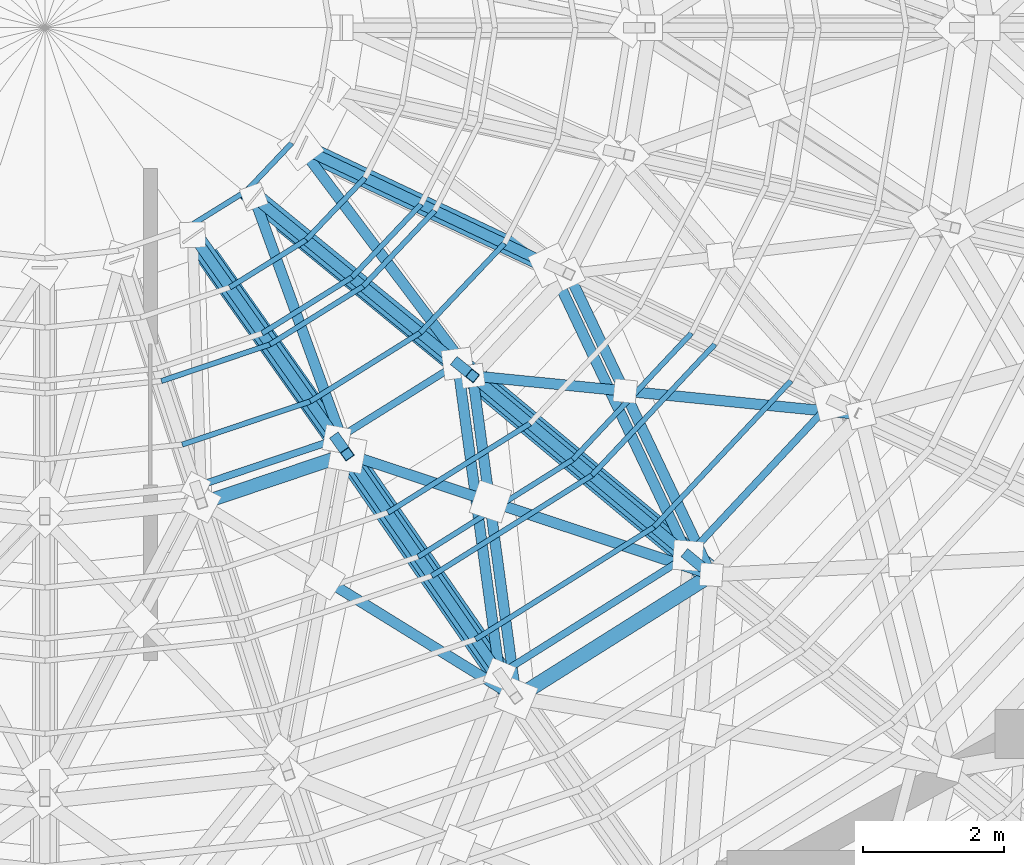
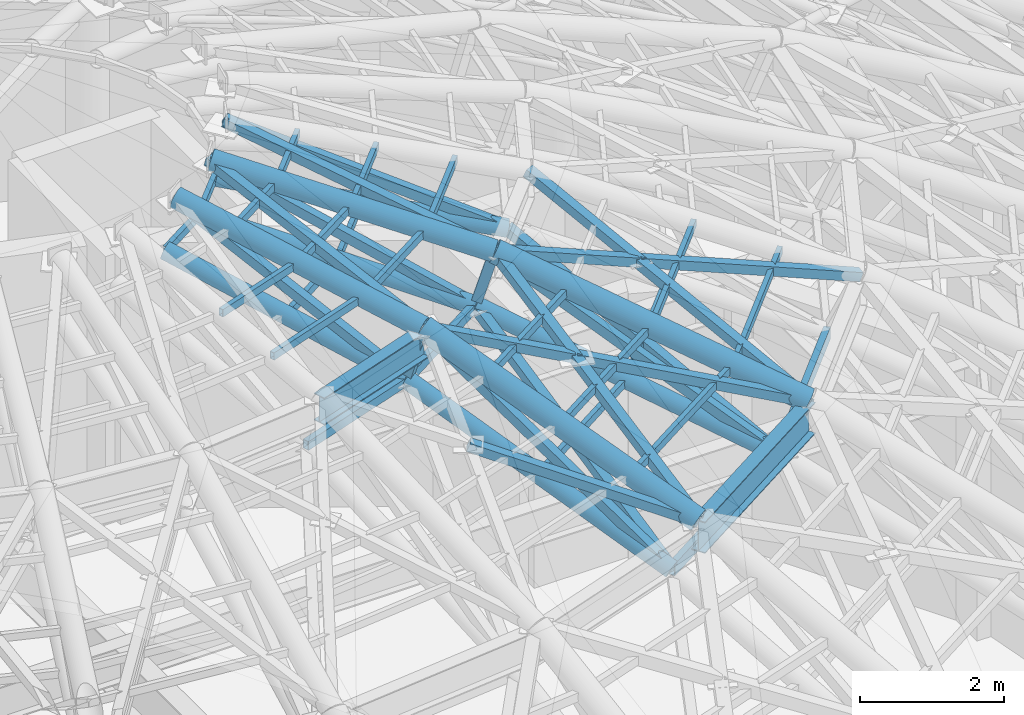
# One storey, part 18 of 50: 51 members, 2 beams.
"""IFC4 building model written with IfcOpenShell, lengths in metres."""

from ifc_helpers import new_model, si_unit, direction, frame, origin, origin_2d, place, context, subcontext, project, spatial, hollow_rectangle, hollow_circle, i_section, extrude, material, material_profile, profile_set, type_object, element, save


model = new_model("IFC4")

# Units and contexts
model_context = context("Model", 3, precision=1e-05, world=origin(), true_north=direction((0.0, 1.0)))
body_context = subcontext(model_context, "Body", "Model", "MODEL_VIEW")
ifc_project = project(units=[si_unit("LENGTHUNIT", "METRE"), si_unit("AREAUNIT", "SQUARE_METRE"), si_unit("VOLUMEUNIT", "CUBIC_METRE"), si_unit("PLANEANGLEUNIT", "RADIAN"), si_unit("MASSUNIT", "GRAM", prefix="KILO")], contexts=[model_context])

# Site, building, storey
site_placement = place(None, origin())
site = spatial("IfcSite", under=ifc_project, at=site_placement, CompositionType="ELEMENT")
building_placement = place(site_placement, origin())
building = spatial("IfcBuilding", under=site, at=building_placement, Name="Cinderbank Siding Concert Hall", CompositionType="ELEMENT")
storey_placement = place(building_placement, frame((0.0, 0.0, 23.699951171875)))
storey = spatial("IfcBuildingStorey", under=building, at=storey_placement, Name="L06", CompositionType="ELEMENT", Elevation=23.699951171875)

# Beams
ifc_material_1 = material(Name="Structural steel AS/NZS 3679.1 Grade 350 (340 MPa)", Category="steel")
ifc_material_profile_1 = material_profile(ifc_material_1, i_section(OverallWidth=0.19091796875, OverallDepth=0.46044921875, WebThickness=0.010009765625, FlangeThickness=0.01611328125, at=origin_2d()), Name="460UB82.1", Category="LoadBearing")
ifc_profile_set_1 = profile_set([ifc_material_profile_1], Name="Structural steel AS/NZS 3679.1 Grade 350 (340 MPa)")
beam_type_1 = type_object("IfcBeamType", Name="BM-UB460H 460UB82.1", PredefinedType="BEAM", material=ifc_profile_set_1)
beam_1_placement = place(storey_placement, frame((124.225830078125, 37.238525390625, 15.769775390625), z_axis=(0.947607117252, 0.319438180769, 0.0), x_axis=(-0.319438180769, 0.947607117252, 0.0)))
element("IfcBeam", 1, at=beam_1_placement, inside=storey, type_object=beam_type_1, Name="L06 Beam BM-UB460H #2106", PredefinedType="BEAM", context=body_context, shape_type="SweptSolid", body=[
    extrude(i_section(OverallWidth=0.19091796875, OverallDepth=0.46044921875, WebThickness=0.010009765625, FlangeThickness=0.01611328125, at=origin_2d()), origin(), (0.0, 0.0, 1.0), 2.18896484375),
])
ifc_material_profile_2 = material_profile(ifc_material_1, i_section(OverallWidth=0.208984375, OverallDepth=0.532958984375, WebThickness=0.01025390625, FlangeThickness=0.015625, at=origin_2d()), Name="530UB92.4", Category="LoadBearing")
ifc_profile_set_2 = profile_set([ifc_material_profile_2], Name="Structural steel AS/NZS 3679.1 Grade 350 (340 MPa)")
beam_type_2 = type_object("IfcBeamType", Name="BM-UB530H 530UB92.4", PredefinedType="BEAM", material=ifc_profile_set_2)
beam_2_placement = place(storey_placement, frame((128.699951171875, 34.4736328125, 13.733642578125), z_axis=(0.846132136799, 0.532973176694, 0.0), x_axis=(-0.532973176694, 0.846132136799, 0.0)))
element("IfcBeam", 2, at=beam_2_placement, inside=storey, type_object=beam_type_2, Name="L06 Beam BM-UB530H #2090", PredefinedType="BEAM", context=body_context, shape_type="SweptSolid", body=[
    extrude(i_section(OverallWidth=0.208984375, OverallDepth=0.532958984375, WebThickness=0.01025390625, FlangeThickness=0.015625, at=origin_2d()), origin(), (0.0, 0.0, 1.0), 3.27978515625),
])

# Members
ifc_material_2 = material(Name="Structural steel hollow section AS/NZS 1163 Grade C350L0 (350 MPa)", Category="steel")
ifc_material_profile_3 = material_profile(ifc_material_2, hollow_rectangle(XDim=0.14990234375, YDim=0.14990234375, WallThickness=0.008056640625, at=origin_2d()), Name="150x150x8.0SHS", Category="LoadBearing")
ifc_profile_set_3 = profile_set([ifc_material_profile_3], Name="Structural steel hollow section AS/NZS 1163 Grade C350L0 (350 MPa)")
member_type_1 = type_object("IfcMemberType", Name="BR-SHS150 150x150x8.0SHS Roof Truss", PredefinedType="BRACE", material=ifc_profile_set_3)
member_1_placement = place(storey_placement, frame((128.699951171875, 34.4736328125, 14.0), z_axis=(-0.79512867802, 0.491374066951, 0.3554179395), x_axis=(-0.525698224541, -0.850671133115, 0.0)))
element("IfcMember", 3, at=member_1_placement, inside=storey, type_object=member_type_1, Name="L06 Diagonal Brace BR-SHS150 #DBRO-BR-SHS150-L06-1630", PredefinedType="BRACE", context=body_context, shape_type="SweptSolid", body=[
    extrude(hollow_rectangle(XDim=0.14990234375, YDim=0.14990234375, WallThickness=0.008056640625, at=origin_2d()), origin(), (0.0, 0.0, 1.0), 3.411865234375),
])
member_2_placement = place(storey_placement, frame((128.465576171875, 34.80712890625, 13.050048828125), z_axis=(-0.44966610058, 0.650064082045, 0.612549661027), x_axis=(-0.822416090957, -0.568886432722, 0.0)))
element("IfcMember", 4, at=member_2_placement, inside=storey, type_object=member_type_1, Name="L06 Diagonal Brace BR-SHS150 #DWBD-BR-SHS150-L06-1634", PredefinedType="BRACE", context=body_context, shape_type="SweptSolid", body=[
    extrude(hollow_rectangle(XDim=0.14990234375, YDim=0.14990234375, WallThickness=0.008056640625, at=origin_2d()), origin(), (0.0, 0.0, 1.0), 4.81591796875),
])
member_3_placement = place(storey_placement, frame((128.699951171875, 34.4736328125, 14.0), z_axis=(-0.122973142336, 0.909370621789, 0.397394864702), x_axis=(-0.990980101498, -0.13400909833, 0.0)))
element("IfcMember", 5, at=member_3_placement, inside=storey, type_object=member_type_1, Name="L06 Diagonal Brace BR-SHS150 #DBRO-BR-SHS150-L06-1641", PredefinedType="BRACE", context=body_context, shape_type="SweptSolid", body=[
    extrude(hollow_rectangle(XDim=0.14990234375, YDim=0.14990234375, WallThickness=0.008056640625, at=origin_2d()), origin(), (0.0, 0.0, 1.0), 5.03271484375),
])
member_4_placement = place(storey_placement, frame((131.47509765625, 36.2216796875, 14.0), z_axis=(-0.891093847418, 0.29550697918, 0.344423257563), x_axis=(-0.314766108589, -0.949169266719, 0.0)))
element("IfcMember", 6, at=member_4_placement, inside=storey, type_object=member_type_1, Name="L06 Diagonal Brace BR-SHS150 #DBRO-BR-SHS150-L06-1642", PredefinedType="BRACE", context=body_context, shape_type="SweptSolid", body=[
    extrude(hollow_rectangle(XDim=0.14990234375, YDim=0.14990234375, WallThickness=0.008056640625, at=origin_2d()), origin(), (0.0, 0.0, 1.0), 3.523681640625),
])
member_5_placement = place(storey_placement, frame((128.30859375, 37.271728515625, 15.223876953125), z_axis=(-0.891130470668, 0.295490935211, 0.344342259177), x_axis=(-0.314739058005, -0.94917823688, 0.0)))
element("IfcMember", 7, at=member_5_placement, inside=storey, type_object=member_type_1, Name="L06 Diagonal Brace BR-SHS150 #DBRO-BR-SHS150-L06-1642-S149", PredefinedType="BRACE", context=body_context, shape_type="SweptSolid", body=[
    extrude(hollow_rectangle(XDim=0.14990234375, YDim=0.14990234375, WallThickness=0.008056640625, at=origin_2d()), origin(), (0.0, 0.0, 1.0), 2.25390625),
])
member_6_placement = place(storey_placement, frame((128.465576171875, 34.80712890625, 13.050048828125), z_axis=(-0.122253598131, 0.904106842433, 0.409444593577), x_axis=(-0.990981226559, -0.134000778383, 0.0)))
element("IfcMember", 8, at=member_6_placement, inside=storey, type_object=member_type_1, Name="L06 Diagonal Brace BR-SHS150 #DBRI-BR-SHS150-L06-1643", PredefinedType="BRACE", context=body_context, shape_type="SweptSolid", body=[
    extrude(hollow_rectangle(XDim=0.14990234375, YDim=0.14990234375, WallThickness=0.008056640625, at=origin_2d()), origin(), (0.0, 0.0, 1.0), 4.884765625),
])
member_7_placement = place(storey_placement, frame((131.1435546875, 36.494140625, 13.050048828125), z_axis=(-0.6172710179, 0.515212656044, 0.594585914324), x_axis=(-0.640786191173, -0.767719387017, 0.0)))
element("IfcMember", 9, at=member_7_placement, inside=storey, type_object=member_type_1, Name="L06 Diagonal Brace BR-SHS150 #DWBD-BR-SHS150-L06-1646", PredefinedType="BRACE", context=body_context, shape_type="SweptSolid", body=[
    extrude(hollow_rectangle(XDim=0.14990234375, YDim=0.14990234375, WallThickness=0.008056640625, at=origin_2d()), origin(), (0.0, 0.0, 1.0), 4.96142578125),
])
member_8_placement = place(storey_placement, frame((131.1435546875, 36.494140625, 13.050048828125), z_axis=(0.318062435065, -0.261382678596, 0.911326167039), x_axis=(0.634909259299, 0.772586715169, 0.0)))
element("IfcMember", 10, at=member_8_placement, inside=storey, type_object=member_type_1, Name="L06 Diagonal Brace BR-SHS150 #DWBV-BR-SHS150-L06-1649", PredefinedType="BRACE", context=body_context, shape_type="SweptSolid", body=[
    extrude(hollow_rectangle(XDim=0.14990234375, YDim=0.14990234375, WallThickness=0.008056640625, at=origin_2d()), origin(), (0.0, 0.0, 1.0), 1.04248046875),
])
member_9_placement = place(storey_placement, frame((131.47509765625, 36.2216796875, 14.0), z_axis=(-0.394465562177, 0.832443944074, 0.389145217408), x_axis=(-0.903674827673, -0.428219343129, 0.0)))
element("IfcMember", 11, at=member_9_placement, inside=storey, type_object=member_type_1, Name="L06 Diagonal Brace BR-SHS150 #DBRO-BR-SHS150-L06-1653", PredefinedType="BRACE", context=body_context, shape_type="SweptSolid", body=[
    extrude(hollow_rectangle(XDim=0.14990234375, YDim=0.14990234375, WallThickness=0.008056640625, at=origin_2d()), origin(), (0.0, 0.0, 1.0), 5.139404296875),
])
member_10_placement = place(storey_placement, frame((133.604736328125, 38.5, 14.0), z_axis=(-0.936162837544, 0.093275613144, 0.338967257408), x_axis=(-0.09914518972, -0.995072977904, 0.0)))
element("IfcMember", 12, at=member_10_placement, inside=storey, type_object=member_type_1, Name="L06 Diagonal Brace BR-SHS150 #DBRO-BR-SHS150-L06-1654", PredefinedType="BRACE", context=body_context, shape_type="SweptSolid", body=[
    extrude(hollow_rectangle(XDim=0.14990234375, YDim=0.14990234375, WallThickness=0.008056640625, at=origin_2d()), origin(), (0.0, 0.0, 1.0), 3.583251953125),
])
member_11_placement = place(storey_placement, frame((130.22216796875, 38.8369140625, 15.224853515625), z_axis=(-0.936176460638, 0.093297403261, 0.338923633127), x_axis=(-0.099166694392, -0.995070835028, 0.0)))
element("IfcMember", 13, at=member_11_placement, inside=storey, type_object=member_type_1, Name="L06 Diagonal Brace BR-SHS150 #DBRO-BR-SHS150-L06-1654-S150", PredefinedType="BRACE", context=body_context, shape_type="SweptSolid", body=[
    extrude(hollow_rectangle(XDim=0.14990234375, YDim=0.14990234375, WallThickness=0.008056640625, at=origin_2d()), origin(), (0.0, 0.0, 1.0), 2.287109375),
])
member_12_placement = place(storey_placement, frame((131.1435546875, 36.494140625, 13.050048828125), z_axis=(-0.392315032588, 0.827807237468, 0.401028792983), x_axis=(-0.903655124424, -0.428260920587, 0.0)))
element("IfcMember", 14, at=member_12_placement, inside=storey, type_object=member_type_1, Name="L06 Diagonal Brace BR-SHS150 #DBRI-BR-SHS150-L06-1655", PredefinedType="BRACE", context=body_context, shape_type="SweptSolid", body=[
    extrude(hollow_rectangle(XDim=0.14990234375, YDim=0.14990234375, WallThickness=0.008056640625, at=origin_2d()), origin(), (0.0, 0.0, 1.0), 4.987060546875),
])
member_13_placement = place(storey_placement, frame((126.1494140625, 38.14990234375, 15.050048828125), z_axis=(-0.499322174283, 0.707938193489, 0.4995006311), x_axis=(-0.817184743141, -0.576375828412, 0.0)))
element("IfcMember", 15, at=member_13_placement, inside=storey, type_object=member_type_1, Name="L06 Diagonal Brace BR-SHS150 #DWBD-BR-SHS150-L06-1882", PredefinedType="BRACE", context=body_context, shape_type="SweptSolid", body=[
    extrude(hollow_rectangle(XDim=0.14990234375, YDim=0.14990234375, WallThickness=0.008056640625, at=origin_2d()), origin(), (0.0, 0.0, 1.0), 4.104248046875),
])
member_14_placement = place(storey_placement, frame((126.1494140625, 38.14990234375, 15.050048828125), z_axis=(0.152937825972, -0.215401897519, 0.964475009491), x_axis=(0.815378555439, 0.578928157314, 0.0)))
element("IfcMember", 16, at=member_14_placement, inside=storey, type_object=member_type_1, Name="L06 Diagonal Brace BR-SHS150 #DWBV-BR-SHS150-L06-1885", PredefinedType="BRACE", context=body_context, shape_type="SweptSolid", body=[
    extrude(hollow_rectangle(XDim=0.14990234375, YDim=0.14990234375, WallThickness=0.008056640625, at=origin_2d()), origin(), (0.0, 0.0, 1.0), 0.98486328125),
])
member_15_placement = place(storey_placement, frame((126.300048828125, 37.937744140625, 16.0), z_axis=(-0.328894618343, 0.904354572698, 0.271976353506), x_axis=(-0.939780603502, -0.34177831599, 0.0)))
element("IfcMember", 17, at=member_15_placement, inside=storey, type_object=member_type_1, Name="L06 Diagonal Brace BR-SHS150 #DBRO-BR-SHS150-L06-1889", PredefinedType="BRACE", context=body_context, shape_type="SweptSolid", body=[
    extrude(hollow_rectangle(XDim=0.14990234375, YDim=0.14990234375, WallThickness=0.008056640625, at=origin_2d()), origin(), (0.0, 0.0, 1.0), 4.044921875),
])
member_16_placement = place(storey_placement, frame((127.868408203125, 39.223388671875, 15.050048828125), z_axis=(-0.67884757642, 0.555576678184, 0.480104699672), x_axis=(-0.633344264796, -0.773870171444, 0.0)))
element("IfcMember", 18, at=member_16_placement, inside=storey, type_object=member_type_1, Name="L06 Diagonal Brace BR-SHS150 #DWBD-BR-SHS150-L06-1892", PredefinedType="BRACE", context=body_context, shape_type="SweptSolid", body=[
    extrude(hollow_rectangle(XDim=0.14990234375, YDim=0.14990234375, WallThickness=0.008056640625, at=origin_2d()), origin(), (0.0, 0.0, 1.0), 4.27001953125),
])
member_17_placement = place(storey_placement, frame((127.868408203125, 39.223388671875, 15.050048828125), z_axis=(0.215070231721, -0.175068650161, 0.96077872747), x_axis=(0.631296308496, 0.775541727362, 0.0)))
element("IfcMember", 19, at=member_17_placement, inside=storey, type_object=member_type_1, Name="L06 Diagonal Brace BR-SHS150 #DWBV-BR-SHS150-L06-1895", PredefinedType="BRACE", context=body_context, shape_type="SweptSolid", body=[
    extrude(hollow_rectangle(XDim=0.14990234375, YDim=0.14990234375, WallThickness=0.008056640625, at=origin_2d()), origin(), (0.0, 0.0, 1.0), 0.98876953125),
])
member_18_placement = place(storey_placement, frame((128.0810546875, 39.05029296875, 16.0), z_axis=(-0.58016863601, 0.771490980412, 0.261162824561), x_axis=(-0.799228391319, -0.601027435738, 0.0)))
element("IfcMember", 20, at=member_18_placement, inside=storey, type_object=member_type_1, Name="L06 Diagonal Brace BR-SHS150 #DBRO-BR-SHS150-L06-1899", PredefinedType="BRACE", context=body_context, shape_type="SweptSolid", body=[
    extrude(hollow_rectangle(XDim=0.14990234375, YDim=0.14990234375, WallThickness=0.008056640625, at=origin_2d()), origin(), (0.0, 0.0, 1.0), 4.21240234375),
])
member_19_placement = place(storey_placement, frame((129.18701171875, 40.62255859375, 15.050048828125), z_axis=(-0.801455569163, 0.378734609059, 0.462848859303), x_axis=(-0.427254861709, -0.904131231153, 0.0)))
element("IfcMember", 21, at=member_19_placement, inside=storey, type_object=member_type_1, Name="L06 Diagonal Brace BR-SHS150 #DWBD-BR-SHS150-L06-1902", PredefinedType="BRACE", context=body_context, shape_type="SweptSolid", body=[
    extrude(hollow_rectangle(XDim=0.14990234375, YDim=0.14990234375, WallThickness=0.008056640625, at=origin_2d()), origin(), (0.0, 0.0, 1.0), 4.42919921875),
])
ifc_material_profile_4 = material_profile(ifc_material_2, hollow_circle(Radius=0.136474609375, WallThickness=0.00927734375, at=origin_2d()), Name="273.1x9.3CHS", Category="LoadBearing")
ifc_profile_set_4 = profile_set([ifc_material_profile_4], Name="Structural steel hollow section AS/NZS 1163 Grade C350L0 (350 MPa)")
member_type_2 = type_object("IfcMemberType", Name="DR-CHS273 273.1x9.3CHS Roof Truss", PredefinedType="RAFTER", material=ifc_profile_set_4)
member_20_placement = place(storey_placement, frame((128.465576171875, 34.80712890625, 13.050048828125), z_axis=(-0.511071945426, 0.737598511307, 0.441309305041), x_axis=(-0.821969527033, -0.569531471149, 0.0)))
element("IfcMember", 22, at=member_20_placement, inside=storey, type_object=member_type_2, Name="L06 Roof Truss Member DR-CHS273 #1633", PredefinedType="RAFTER", context=body_context, shape_type="SweptSolid", body=[
    extrude(hollow_circle(Radius=0.136474609375, WallThickness=0.00927734375, at=origin_2d()), origin(), (0.0, 0.0, 1.0), 4.531982421875),
])
member_21_placement = place(storey_placement, frame((131.1435546875, 36.494140625, 13.050048828125), z_axis=(-0.695496901664, 0.5795721106, 0.424711935776), x_axis=(-0.640178766907, -0.768225973527, 0.0)))
element("IfcMember", 23, at=member_21_placement, inside=storey, type_object=member_type_2, Name="L06 Roof Truss Member DR-CHS273 #1645", PredefinedType="RAFTER", context=body_context, shape_type="SweptSolid", body=[
    extrude(hollow_circle(Radius=0.136474609375, WallThickness=0.00927734375, at=origin_2d()), origin(), (0.0, 0.0, 1.0), 4.708984375),
])
member_22_placement = place(storey_placement, frame((126.1494140625, 38.14990234375, 15.050048828125), z_axis=(-0.552369154655, 0.782909426334, 0.286253641274), x_axis=(-0.817101975754, -0.576493157999, 0.0)))
element("IfcMember", 24, at=member_22_placement, inside=storey, type_object=member_type_2, Name="L06 Roof Truss Member DR-CHS273 #1881", PredefinedType="RAFTER", context=body_context, shape_type="SweptSolid", body=[
    extrude(hollow_circle(Radius=0.136474609375, WallThickness=0.00927734375, at=origin_2d()), origin(), (0.0, 0.0, 1.0), 3.843017578125),
])
member_23_placement = place(storey_placement, frame((127.868408203125, 39.223388671875, 15.050048828125), z_axis=(-0.744597053616, 0.60921577114, 0.272821135436), x_axis=(-0.633237790257, -0.773957299203, 0.0)))
element("IfcMember", 25, at=member_23_placement, inside=storey, type_object=member_type_2, Name="L06 Roof Truss Member DR-CHS273 #1891", PredefinedType="RAFTER", context=body_context, shape_type="SweptSolid", body=[
    extrude(hollow_circle(Radius=0.136474609375, WallThickness=0.00927734375, at=origin_2d()), origin(), (0.0, 0.0, 1.0), 4.0322265625),
])
member_24_placement = place(storey_placement, frame((129.18701171875, 40.62255859375, 15.050048828125), z_axis=(-0.872810404073, 0.412326274815, 0.261130315434), x_axis=(-0.427146747319, -0.904182313615, 0.0)))
element("IfcMember", 26, at=member_24_placement, inside=storey, type_object=member_type_2, Name="L06 Roof Truss Member DR-CHS273 #1901", PredefinedType="RAFTER", context=body_context, shape_type="SweptSolid", body=[
    extrude(hollow_circle(Radius=0.136474609375, WallThickness=0.00927734375, at=origin_2d()), origin(), (0.0, 0.0, 1.0), 4.212890625),
])
ifc_material_profile_5 = material_profile(ifc_material_2, hollow_circle(Radius=0.161865234375, WallThickness=0.0126953125, at=origin_2d()), Name="323.9x12.7CHS", Category="LoadBearing")
ifc_profile_set_5 = profile_set([ifc_material_profile_5], Name="Structural steel hollow section AS/NZS 1163 Grade C350L0 (350 MPa)")
member_type_3 = type_object("IfcMemberType", Name="DR-CHS323 323.9x12.7CHS Roof Truss", PredefinedType="RAFTER", material=ifc_profile_set_5)
member_25_placement = place(storey_placement, frame((126.300048828125, 37.937744140625, 16.0), z_axis=(-0.553994203108, 0.785098843827, 0.276966114072), x_axis=(-0.817062588556, -0.576548980037, 0.0)))
element("IfcMember", 27, at=member_25_placement, inside=storey, type_object=member_type_3, Name="L06 Roof Truss Member DR-CHS323 #1880", PredefinedType="RAFTER", context=body_context, shape_type="SweptSolid", body=[
    extrude(hollow_circle(Radius=0.161865234375, WallThickness=0.0126953125, at=origin_2d()), origin(), (0.0, 0.0, 1.0), 3.939453125),
])
member_26_placement = place(storey_placement, frame((128.0810546875, 39.05029296875, 16.0), z_axis=(-0.746506757945, 0.61079435588, 0.26392785978), x_axis=(-0.633247788404, -0.773949118794, 0.0)))
element("IfcMember", 28, at=member_26_placement, inside=storey, type_object=member_type_3, Name="L06 Roof Truss Member DR-CHS323 #1890", PredefinedType="RAFTER", context=body_context, shape_type="SweptSolid", body=[
    extrude(hollow_circle(Radius=0.161865234375, WallThickness=0.0126953125, at=origin_2d()), origin(), (0.0, 0.0, 1.0), 4.1357421875),
])
ifc_material_profile_6 = material_profile(ifc_material_2, hollow_circle(Radius=0.177734375, WallThickness=0.0126953125, at=origin_2d()), Name="355.6x12.7CHS", Category="LoadBearing")
ifc_profile_set_6 = profile_set([ifc_material_profile_6], Name="Structural steel hollow section AS/NZS 1163 Grade C350L0 (350 MPa)")
member_type_4 = type_object("IfcMemberType", Name="DR-CHS355 355.6x12.7CHS Roof Truss", PredefinedType="RAFTER", material=ifc_profile_set_6)
member_27_placement = place(storey_placement, frame((128.699951171875, 34.4736328125, 14.0), z_axis=(-0.51447956634, 0.742619589705, 0.428750417849), x_axis=(-0.822006531682, -0.569478060923, 0.0)))
element("IfcMember", 29, at=member_27_placement, inside=storey, type_object=member_type_4, Name="L06 Roof Truss Member DR-CHS355 #1632", PredefinedType="RAFTER", context=body_context, shape_type="SweptSolid", body=[
    extrude(hollow_circle(Radius=0.177734375, WallThickness=0.0126953125, at=origin_2d()), origin(), (0.0, 0.0, 1.0), 4.664794921875),
])
member_28_placement = place(storey_placement, frame((131.47509765625, 36.2216796875, 14.0), z_axis=(-0.699831224622, 0.583243027512, 0.412387957999), x_axis=(-0.640217010255, -0.768194102932, 0.0)))
element("IfcMember", 30, at=member_28_placement, inside=storey, type_object=member_type_4, Name="L06 Roof Truss Member DR-CHS355 #1644", PredefinedType="RAFTER", context=body_context, shape_type="SweptSolid", body=[
    extrude(hollow_circle(Radius=0.177734375, WallThickness=0.0126953125, at=origin_2d()), origin(), (0.0, 0.0, 1.0), 4.849853515625),
])
ifc_material_profile_7 = material_profile(ifc_material_2, hollow_rectangle(XDim=0.074951171875, YDim=0.125, WallThickness=0.0048828125, at=origin_2d()), Name="125x75x5.0RHS", Category="LoadBearing")
ifc_profile_set_7 = profile_set([ifc_material_profile_7], Name="Structural steel hollow section AS/NZS 1163 Grade C350L0 (350 MPa)")
member_type_5 = type_object("IfcMemberType", Name="PR-RHS125 125x75x5.0RHS Roof Truss", PredefinedType="PURLIN", material=ifc_profile_set_7)
member_29_placement = place(storey_placement, frame((127.3076171875, 36.478515625, 14.050048828125), z_axis=(0.846876197645, 0.531790095678, 0.0), x_axis=(-0.531790095678, 0.846876197645, 0.0)))
element("IfcMember", 31, at=member_29_placement, inside=storey, type_object=member_type_5, Name="L06 Roof Truss Member PR-RHS125 #1636", PredefinedType="PURLIN", context=body_context, shape_type="SweptSolid", body=[
    extrude(hollow_rectangle(XDim=0.074951171875, YDim=0.125, WallThickness=0.0048828125, at=origin_2d()), origin(), (0.0, 0.0, 1.0), 2.595703125),
])
member_30_placement = place(storey_placement, frame((128.1240234375, 35.30517578125, 14.47998046875), z_axis=(0.846484441665, 0.532413457775, 0.0), x_axis=(-0.532413457775, 0.846484441665, 0.0)))
element("IfcMember", 32, at=member_30_placement, inside=storey, type_object=member_type_5, Name="L06 Roof Truss Member PR-RHS125 #1638", PredefinedType="PURLIN", context=body_context, shape_type="SweptSolid", body=[
    extrude(hollow_rectangle(XDim=0.074951171875, YDim=0.125, WallThickness=0.0048828125, at=origin_2d()), origin(), (0.0, 0.0, 1.0), 2.99658203125),
])
member_31_placement = place(storey_placement, frame((127.5, 36.205810546875, 15.0), z_axis=(0.846930862416, 0.531703032047, 0.0), x_axis=(-0.531703032047, 0.846930862416, 0.0)))
element("IfcMember", 33, at=member_31_placement, inside=storey, type_object=member_type_5, Name="L06 Roof Truss Member PR-RHS125 #1639", PredefinedType="PURLIN", context=body_context, shape_type="SweptSolid", body=[
    extrude(hollow_rectangle(XDim=0.074951171875, YDim=0.125, WallThickness=0.0048828125, at=origin_2d()), origin(), (0.0, 0.0, 1.0), 2.689697265625),
])
member_32_placement = place(storey_placement, frame((126.8759765625, 37.1064453125, 15.52001953125), z_axis=(0.847474187281, 0.530836605644, 0.0), x_axis=(-0.530836605644, 0.847474187281, 0.0)))
element("IfcMember", 34, at=member_32_placement, inside=storey, type_object=member_type_5, Name="L06 Roof Truss Member PR-RHS125 #1640", PredefinedType="PURLIN", context=body_context, shape_type="SweptSolid", body=[
    extrude(hollow_rectangle(XDim=0.074951171875, YDim=0.125, WallThickness=0.0048828125, at=origin_2d()), origin(), (0.0, 0.0, 1.0), 2.38330078125),
])
member_33_placement = place(storey_placement, frame((129.505859375, 37.85888671875, 14.050048828125), z_axis=(0.684122238998, 0.729367371157, 0.0), x_axis=(-0.729367371157, 0.684122238998, 0.0)))
element("IfcMember", 35, at=member_33_placement, inside=storey, type_object=member_type_5, Name="L06 Roof Truss Member PR-RHS125 #1648", PredefinedType="PURLIN", context=body_context, shape_type="SweptSolid", body=[
    extrude(hollow_rectangle(XDim=0.074951171875, YDim=0.125, WallThickness=0.0048828125, at=origin_2d()), origin(), (0.0, 0.0, 1.0), 2.466064453125),
])
member_34_placement = place(storey_placement, frame((130.66064453125, 36.900634765625, 14.47998046875), z_axis=(0.68336207894, 0.730079632004, 0.0), x_axis=(-0.730079632004, 0.68336207894, 0.0)))
element("IfcMember", 36, at=member_34_placement, inside=storey, type_object=member_type_5, Name="L06 Roof Truss Member PR-RHS125 #1650", PredefinedType="PURLIN", context=body_context, shape_type="SweptSolid", body=[
    extrude(hollow_rectangle(XDim=0.074951171875, YDim=0.125, WallThickness=0.0048828125, at=origin_2d()), origin(), (0.0, 0.0, 1.0), 2.84814453125),
])
member_35_placement = place(storey_placement, frame((129.778076171875, 37.635986328125, 15.0), z_axis=(0.684103178417, 0.729385248878, 0.0), x_axis=(-0.729385248878, 0.684103178417, 0.0)))
element("IfcMember", 37, at=member_35_placement, inside=storey, type_object=member_type_5, Name="L06 Roof Truss Member PR-RHS125 #1651", PredefinedType="PURLIN", context=body_context, shape_type="SweptSolid", body=[
    extrude(hollow_rectangle(XDim=0.074951171875, YDim=0.125, WallThickness=0.0048828125, at=origin_2d()), origin(), (0.0, 0.0, 1.0), 2.5556640625),
])
member_36_placement = place(storey_placement, frame((123.952392578125, 38.072998046875, 16.26416015625), z_axis=(0.947661176794, 0.319277769345, 0.0), x_axis=(-0.319277769345, 0.947661176794, 0.0)))
element("IfcMember", 38, at=member_36_placement, inside=storey, type_object=member_type_5, Name="L06 Roof Truss Member PR-RHS125 #1876", PredefinedType="PURLIN", context=body_context, shape_type="SweptSolid", body=[
    extrude(hollow_rectangle(XDim=0.074951171875, YDim=0.125, WallThickness=0.0048828125, at=origin_2d()), origin(), (0.0, 0.0, 1.0), 1.920166015625),
])
member_37_placement = place(storey_placement, frame((123.656494140625, 38.977294921875, 16.550048828125), z_axis=(0.947795058073, 0.318880115236, 0.0), x_axis=(-0.318880115236, 0.947795058073, 0.0)))
element("IfcMember", 39, at=member_37_placement, inside=storey, type_object=member_type_5, Name="L06 Roof Truss Member PR-RHS125 #1877", PredefinedType="PURLIN", context=body_context, shape_type="SweptSolid", body=[
    extrude(hollow_rectangle(XDim=0.074951171875, YDim=0.125, WallThickness=0.0048828125, at=origin_2d()), origin(), (0.0, 0.0, 1.0), 1.62841796875),
])
member_38_placement = place(storey_placement, frame((124.026611328125, 41.15869140625, 16.150146484375), z_axis=(0.849521792441, 0.527553527301, 0.0), x_axis=(-0.527553527301, 0.849521792441, 0.0)))
element("IfcMember", 40, at=member_38_placement, inside=storey, type_object=member_type_5, Name="L06 Roof Truss Member PR-RHS125 #1883", PredefinedType="PURLIN", context=body_context, shape_type="SweptSolid", body=[
    extrude(hollow_rectangle(XDim=0.074951171875, YDim=0.125, WallThickness=0.0048828125, at=origin_2d()), origin(), (0.0, 0.0, 1.0), 0.988037109375),
])
member_39_placement = place(storey_placement, frame((125.087890625, 39.654296875, 15.60009765625), z_axis=(0.848580058355, 0.529066994398, 0.0), x_axis=(-0.529066994398, 0.848580058355, 0.0)))
element("IfcMember", 41, at=member_39_placement, inside=storey, type_object=member_type_5, Name="L06 Roof Truss Member PR-RHS125 #1884", PredefinedType="PURLIN", context=body_context, shape_type="SweptSolid", body=[
    extrude(hollow_rectangle(XDim=0.074951171875, YDim=0.125, WallThickness=0.0048828125, at=origin_2d()), origin(), (0.0, 0.0, 1.0), 1.507568359375),
])
member_40_placement = place(storey_placement, frame((125.77197265625, 38.68603515625, 16.26416015625), z_axis=(0.848355564327, 0.529426894363, 0.0), x_axis=(-0.529426894363, 0.848355564327, 0.0)))
element("IfcMember", 42, at=member_40_placement, inside=storey, type_object=member_type_5, Name="L06 Roof Truss Member PR-RHS125 #1886", PredefinedType="PURLIN", context=body_context, shape_type="SweptSolid", body=[
    extrude(hollow_rectangle(XDim=0.074951171875, YDim=0.125, WallThickness=0.0048828125, at=origin_2d()), origin(), (0.0, 0.0, 1.0), 1.841796875),
])
member_41_placement = place(storey_placement, frame((125.199951171875, 39.49658203125, 16.550048828125), z_axis=(0.848568581374, 0.529085402091, 0.0), x_axis=(-0.529085402091, 0.848568581374, 0.0)))
element("IfcMember", 43, at=member_41_placement, inside=storey, type_object=member_type_5, Name="L06 Roof Truss Member PR-RHS125 #1887", PredefinedType="PURLIN", context=body_context, shape_type="SweptSolid", body=[
    extrude(hollow_rectangle(XDim=0.074951171875, YDim=0.125, WallThickness=0.0048828125, at=origin_2d()), origin(), (0.0, 0.0, 1.0), 1.56201171875),
])
member_42_placement = place(storey_placement, frame((124.6279296875, 40.307373046875, 16.8359375), z_axis=(0.849012948189, 0.528372041091, 0.0), x_axis=(-0.528372041091, 0.849012948189, 0.0)))
element("IfcMember", 44, at=member_42_placement, inside=storey, type_object=member_type_5, Name="L06 Roof Truss Member PR-RHS125 #1888", PredefinedType="PURLIN", context=body_context, shape_type="SweptSolid", body=[
    extrude(hollow_rectangle(XDim=0.074951171875, YDim=0.125, WallThickness=0.0048828125, at=origin_2d()), origin(), (0.0, 0.0, 1.0), 1.2822265625),
])
member_43_placement = place(storey_placement, frame((124.865966796875, 41.679931640625, 16.150146484375), z_axis=(0.687816964948, 0.725884166193, 0.0), x_axis=(-0.725884166193, 0.687816964948, 0.0)))
element("IfcMember", 45, at=member_43_placement, inside=storey, type_object=member_type_5, Name="L06 Roof Truss Member PR-RHS125 #1893", PredefinedType="PURLIN", context=body_context, shape_type="SweptSolid", body=[
    extrude(hollow_rectangle(XDim=0.074951171875, YDim=0.125, WallThickness=0.0048828125, at=origin_2d()), origin(), (0.0, 0.0, 1.0), 0.936279296875),
])
member_44_placement = place(storey_placement, frame((126.3671875, 40.451904296875, 15.60009765625), z_axis=(0.686573368621, 0.727060526711, 0.0), x_axis=(-0.727060526711, 0.686573368621, 0.0)))
element("IfcMember", 46, at=member_44_placement, inside=storey, type_object=member_type_5, Name="L06 Roof Truss Member PR-RHS125 #1894", PredefinedType="PURLIN", context=body_context, shape_type="SweptSolid", body=[
    extrude(hollow_rectangle(XDim=0.074951171875, YDim=0.125, WallThickness=0.0048828125, at=origin_2d()), origin(), (0.0, 0.0, 1.0), 1.42919921875),
])
member_45_placement = place(storey_placement, frame((127.33447265625, 39.6611328125, 16.26416015625), z_axis=(0.686192522958, 0.727419975967, 0.0), x_axis=(-0.727419975967, 0.686192522958, 0.0)))
element("IfcMember", 47, at=member_45_placement, inside=storey, type_object=member_type_5, Name="L06 Roof Truss Member PR-RHS125 #1896", PredefinedType="PURLIN", context=body_context, shape_type="SweptSolid", body=[
    extrude(hollow_rectangle(XDim=0.074951171875, YDim=0.125, WallThickness=0.0048828125, at=origin_2d()), origin(), (0.0, 0.0, 1.0), 1.746826171875),
])
member_46_placement = place(storey_placement, frame((126.525390625, 40.322998046875, 16.550048828125), z_axis=(0.686628372605, 0.727008581747, 0.0), x_axis=(-0.727008581747, 0.686628372605, 0.0)))
element("IfcMember", 48, at=member_46_placement, inside=storey, type_object=member_type_5, Name="L06 Roof Truss Member PR-RHS125 #1897", PredefinedType="PURLIN", context=body_context, shape_type="SweptSolid", body=[
    extrude(hollow_rectangle(XDim=0.074951171875, YDim=0.125, WallThickness=0.0048828125, at=origin_2d()), origin(), (0.0, 0.0, 1.0), 1.481201171875),
])
member_47_placement = place(storey_placement, frame((125.716552734375, 40.98486328125, 16.8359375), z_axis=(0.687148281608, 0.726517198064, 0.0), x_axis=(-0.726517198064, 0.687148281608, 0.0)))
element("IfcMember", 49, at=member_47_placement, inside=storey, type_object=member_type_5, Name="L06 Roof Truss Member PR-RHS125 #1898", PredefinedType="PURLIN", context=body_context, shape_type="SweptSolid", body=[
    extrude(hollow_rectangle(XDim=0.074951171875, YDim=0.125, WallThickness=0.0048828125, at=origin_2d()), origin(), (0.0, 0.0, 1.0), 1.215576171875),
])
ifc_material_profile_8 = material_profile(ifc_material_2, hollow_rectangle(XDim=0.10009765625, YDim=0.14990234375, WallThickness=0.006103515625, at=origin_2d()), Name="150x100x6.0RHS", Category="LoadBearing")
ifc_profile_set_8 = profile_set([ifc_material_profile_8], Name="Structural steel hollow section AS/NZS 1163 Grade C350L0 (350 MPa)")
member_type_6 = type_object("IfcMemberType", Name="PR-RHS150 150x100x6.0RHS Roof Truss", PredefinedType="PURLIN", material=ifc_profile_set_8)
member_48_placement = place(storey_placement, frame((124.14794921875, 37.47509765625, 15.050048828125), z_axis=(0.94759117017, 0.319485483575, 0.0), x_axis=(-0.319485483575, 0.94759117017, 0.0)))
element("IfcMember", 50, at=member_48_placement, inside=storey, type_object=member_type_6, Name="L06 Roof Truss Member PR-RHS150 #1623", PredefinedType="PURLIN", context=body_context, shape_type="SweptSolid", body=[
    extrude(hollow_rectangle(XDim=0.10009765625, YDim=0.14990234375, WallThickness=0.006103515625, at=origin_2d()), origin(), (0.0, 0.0, 1.0), 2.112060546875),
])
member_49_placement = place(storey_placement, frame((126.1494140625, 38.14990234375, 15.050048828125), z_axis=(0.848194509168, 0.529684882376, 0.0), x_axis=(-0.529684882376, 0.848194509168, 0.0)))
element("IfcMember", 51, at=member_49_placement, inside=storey, type_object=member_type_6, Name="L06 Roof Truss Member PR-RHS150 #1635", PredefinedType="PURLIN", context=body_context, shape_type="SweptSolid", body=[
    extrude(hollow_rectangle(XDim=0.10009765625, YDim=0.14990234375, WallThickness=0.006103515625, at=origin_2d()), origin(), (0.0, 0.0, 1.0), 2.026611328125),
])
ifc_material_profile_9 = material_profile(ifc_material_2, hollow_rectangle(XDim=0.10009765625, YDim=0.199951171875, WallThickness=0.008056640625, at=origin_2d()), Name="200x100x8.0RHS", Category="LoadBearing")
ifc_profile_set_9 = profile_set([ifc_material_profile_9], Name="Structural steel hollow section AS/NZS 1163 Grade C350L0 (350 MPa)")
member_type_7 = type_object("IfcMemberType", Name="PR-RHS200 200x100x8.0RHS Roof Truss", PredefinedType="PURLIN", material=ifc_profile_set_9)
member_50_placement = place(storey_placement, frame((128.465576171875, 34.80712890625, 13.050048828125), z_axis=(0.846107868169, 0.533011702894, 0.0), x_axis=(-0.533011702894, 0.846107868169, 0.0)))
element("IfcMember", 52, at=member_50_placement, inside=storey, type_object=member_type_7, Name="L06 Roof Truss Member PR-RHS200 #1347", PredefinedType="PURLIN", context=body_context, shape_type="SweptSolid", body=[
    extrude(hollow_rectangle(XDim=0.10009765625, YDim=0.199951171875, WallThickness=0.008056640625, at=origin_2d()), origin(), (0.0, 0.0, 1.0), 3.1650390625),
])
member_51_placement = place(storey_placement, frame((131.1435546875, 36.494140625, 13.050048828125), z_axis=(0.68289329062, 0.730518140518, 0.0), x_axis=(-0.730518140518, 0.68289329062, 0.0)))
element("IfcMember", 53, at=member_51_placement, inside=storey, type_object=member_type_7, Name="L06 Roof Truss Member PR-RHS200 #1359", PredefinedType="PURLIN", context=body_context, shape_type="SweptSolid", body=[
    extrude(hollow_rectangle(XDim=0.10009765625, YDim=0.199951171875, WallThickness=0.008056640625, at=origin_2d()), origin(), (0.0, 0.0, 1.0), 3.009033203125),
])

save(model, "model.ifc")
